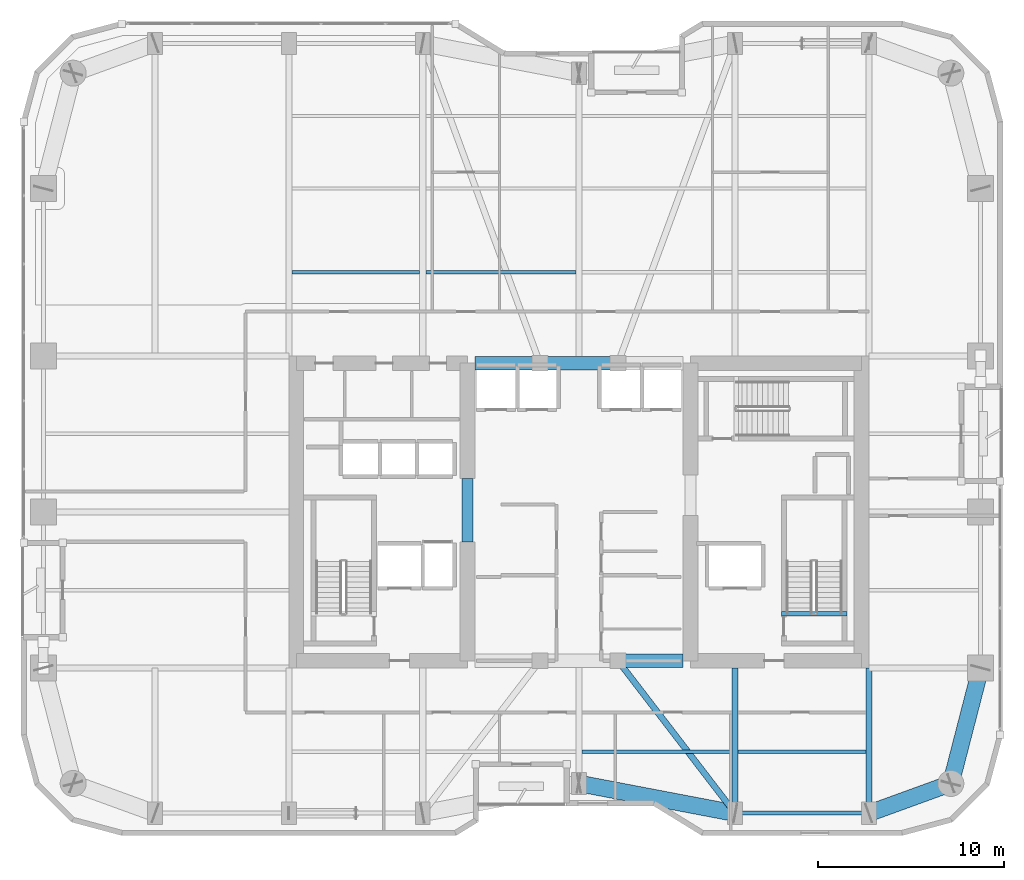
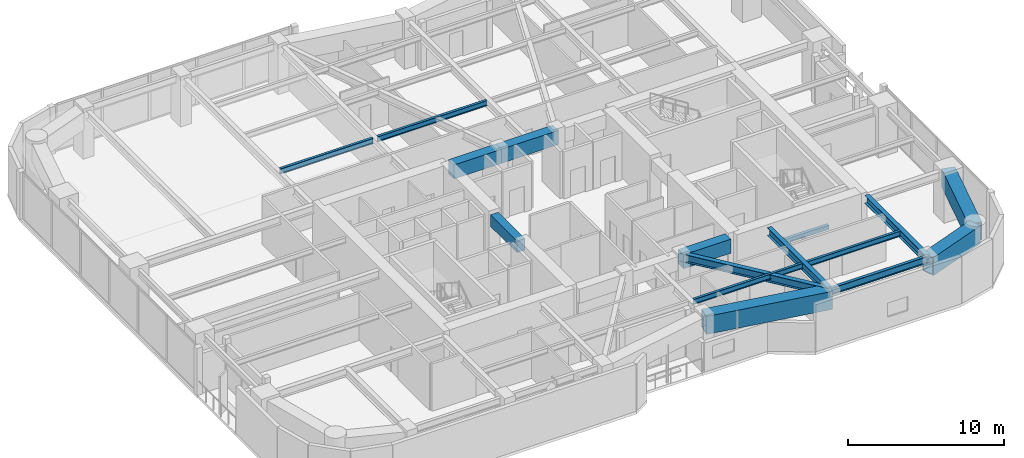
# One storey, part 8 of 30: 16 beams.
"""IFC4 building model written with IfcOpenShell, lengths in metres."""

from ifc_helpers import new_model, si_unit, direction, frame, origin, origin_2d, place, context, subcontext, project, spatial, rectangle, hollow_rectangle, i_section, extrude, material, material_profile, profile_set, type_object, element, save


model = new_model("IFC4")

# Units and contexts
model_context = context("Model", 3, precision=1e-05, world=origin(), true_north=direction((0.0, 1.0)))
body_context = subcontext(model_context, "Body", "Model", "MODEL_VIEW")
ifc_project = project(units=[si_unit("LENGTHUNIT", "METRE"), si_unit("AREAUNIT", "SQUARE_METRE"), si_unit("VOLUMEUNIT", "CUBIC_METRE"), si_unit("PLANEANGLEUNIT", "RADIAN"), si_unit("MASSUNIT", "GRAM", prefix="KILO")], contexts=[model_context])

# Site, building, storey
site_placement = place(None, origin())
site = spatial("IfcSite", under=ifc_project, at=site_placement, CompositionType="ELEMENT")
building_placement = place(site_placement, origin())
building = spatial("IfcBuilding", under=site, at=building_placement, Name="Kiyonajd Concourse Tower", CompositionType="ELEMENT")
storey_placement = place(building_placement, frame((0.0, 0.0, 154.5)))
storey = spatial("IfcBuildingStorey", under=building, at=storey_placement, Name="L39", CompositionType="ELEMENT", Elevation=154.5)

# Beams
ifc_material_1 = material(Name="Concrete C70/85", Category="concrete")
ifc_material_profile_1 = material_profile(ifc_material_1, rectangle(XDim=0.699951171875, YDim=1.10009765625, at=origin_2d()), Name="RCBM-700x1100")
ifc_profile_set_1 = profile_set([ifc_material_profile_1], Name="Concrete C70/85")
beam_type_1 = type_object("IfcBeamType", Name="BM-COUP-1100", PredefinedType="LINTEL", material=ifc_profile_set_1)
for number, where, z_axis, x_axis, name in (
    (1, (50.10009765625, 28.0, 3.1298828125), (1.0, 0.0, 0.0), (0.0, 1.0, 0.0), "L39 Core Coupling Beam S3"),
    (2, (42.39990234375, 44.0, 3.1298828125), (1.0, 0.0, 0.0), (0.0, 1.0, 0.0), "L39 Core Coupling Beam N1"),
):
    element("IfcBeam", number, at=place(storey_placement, frame(where, z_axis=z_axis, x_axis=x_axis)), inside=storey, type_object=beam_type_1, Name=name, PredefinedType="LINTEL", context=body_context, shape_type="SweptSolid", body=[
        extrude(rectangle(XDim=0.699951171875, YDim=1.10009765625, at=origin_2d()), origin(), (0.0, 0.0, 1.0), 3.5),
    ])
beam_1_placement = place(storey_placement, frame((45.89990234375, 44.0, 3.1298828125), z_axis=(1.0, 0.0, 0.0), x_axis=(0.0, 1.0, 0.0)))
element("IfcBeam", 3, at=beam_1_placement, inside=storey, type_object=beam_type_1, Name="L39 Core Coupling Beam N2", PredefinedType="LINTEL", context=body_context, shape_type="SweptSolid", body=[
    extrude(rectangle(XDim=0.699951171875, YDim=1.10009765625, at=origin_2d()), origin(), (0.0, 0.0, 1.0), 4.2001953125),
])
ifc_material_2 = material(Name="Concrete C60/75", Category="concrete")
ifc_material_profile_2 = material_profile(ifc_material_2, rectangle(XDim=0.60009765625, YDim=0.89990234375, at=origin_2d()), Name="RCBM-600x900")
ifc_profile_set_2 = profile_set([ifc_material_profile_2], Name="Concrete C60/75")
beam_type_2 = type_object("IfcBeamType", Name="BM-COUP-900", PredefinedType="LINTEL", material=ifc_profile_set_2)
beam_2_placement = place(storey_placement, frame((42.0, 34.39990234375, 3.1298828125), z_axis=(0.0, 1.0, 0.0), x_axis=(-1.0, 0.0, 0.0)))
element("IfcBeam", 4, at=beam_2_placement, inside=storey, type_object=beam_type_2, Name="L39 West Core Throat Coupling Lintel", PredefinedType="LINTEL", context=body_context, shape_type="SweptSolid", body=[
    extrude(rectangle(XDim=0.60009765625, YDim=0.89990234375, at=origin_2d()), origin(), (0.0, 0.0, 1.0), 3.400146484375),
])
ifc_material_3 = material(Name="Steel ASTM A992 Grade 50", Category="steel")
ifc_material_profile_3 = material_profile(ifc_material_3, i_section(OverallWidth=0.180908203125, OverallDepth=0.4169921875, WebThickness=0.010986328125, FlangeThickness=0.018310546875, at=origin_2d()), Name="W410X85")
ifc_profile_set_3 = profile_set([ifc_material_profile_3], Name="Steel ASTM A992 Grade 50")
beam_type_3 = type_object("IfcBeamType", Name="BM-JST-410", PredefinedType="JOIST", material=ifc_profile_set_3)
beam_3_placement = place(storey_placement, frame((48.16357421875, 23.10009765625, 3.471435546875), z_axis=(1.0, 0.0, 0.0), x_axis=(0.0, 1.0, 0.0)))
element("IfcBeam", 5, at=beam_3_placement, inside=storey, type_object=beam_type_3, Name="L39 Secondary Floor Joist", PredefinedType="JOIST", context=body_context, shape_type="SweptSolid", body=[
    extrude(i_section(OverallWidth=0.180908203125, OverallDepth=0.4169921875, WebThickness=0.010986328125, FlangeThickness=0.018310546875, at=origin_2d()), origin(), (0.0, 0.0, 1.0), 8.072998046875),
])
for number, where, z_axis, x_axis, name in (
    (6, (56.5634765625, 23.10009765625, 3.471435546875), (1.0, 0.0, 0.0), (0.0, 1.0, 0.0), "L39 Secondary Floor Joist"),
    (7, (32.5634765625, 48.89990234375, 3.471435546875), (1.0, 0.0, 0.0), (0.0, 1.0, 0.0), "L39 Secondary Floor Joist"),
):
    element("IfcBeam", number, at=place(storey_placement, frame(where, z_axis=z_axis, x_axis=x_axis)), inside=storey, type_object=beam_type_3, Name=name, PredefinedType="JOIST", context=body_context, shape_type="SweptSolid", body=[
        extrude(i_section(OverallWidth=0.180908203125, OverallDepth=0.4169921875, WebThickness=0.010986328125, FlangeThickness=0.018310546875, at=origin_2d()), origin(), (0.0, 0.0, 1.0), 6.873046875),
    ])
beam_4_placement = place(storey_placement, frame((39.763427734375, 48.89990234375, 3.471435546875), z_axis=(1.0, 0.0, 0.0), x_axis=(0.0, 1.0, 0.0)))
element("IfcBeam", 8, at=beam_4_placement, inside=storey, type_object=beam_type_3, Name="L39 Secondary Floor Joist", PredefinedType="JOIST", context=body_context, shape_type="SweptSolid", body=[
    extrude(i_section(OverallWidth=0.180908203125, OverallDepth=0.4169921875, WebThickness=0.010986328125, FlangeThickness=0.018310546875, at=origin_2d()), origin(), (0.0, 0.0, 1.0), 8.072998046875),
])
ifc_material_4 = material(Name="Concrete C50/60", Category="concrete")
ifc_material_profile_4 = material_profile(ifc_material_4, rectangle(XDim=0.239990234375, YDim=0.320068359375, at=origin_2d()), Name="RCBM-240x320")
ifc_profile_set_4 = profile_set([ifc_material_profile_4], Name="Concrete C50/60")
beam_type_4 = type_object("IfcBeamType", Name="BM-LNT-250", PredefinedType="LINTEL", material=ifc_profile_set_4)
beam_5_placement = place(storey_placement, frame((58.889892578125, 30.530029296875, -0.159912109375), z_axis=(1.0, 0.0, 0.0), x_axis=(0.0, 1.0, 0.0)))
element("IfcBeam", 9, at=beam_5_placement, inside=storey, type_object=beam_type_4, Name="L39 Stair ST2 Threshold Support Beam", PredefinedType="LINTEL", context=body_context, shape_type="SweptSolid", body=[
    extrude(rectangle(XDim=0.239990234375, YDim=0.320068359375, at=origin_2d()), origin(), (0.0, 0.0, 1.0), 3.52001953125),
])
ifc_material_profile_5 = material_profile(ifc_material_3, i_section(OverallWidth=0.214111328125, OverallDepth=0.549072265625, WebThickness=0.0146484375, FlangeThickness=0.023681640625, at=origin_2d()), Name="W530X138")
ifc_profile_set_5 = profile_set([ifc_material_profile_5], Name="Steel ASTM A992 Grade 50")
beam_type_5 = type_object("IfcBeamType", Name="BM-SPAN-530A", PredefinedType="SPANDREL", material=ifc_profile_set_5)
beam_6_placement = place(storey_placement, frame((56.39990234375, 19.800048828125, 3.405517578125), z_axis=(1.0, 0.0, 0.0), x_axis=(0.0, 1.0, 0.0)))
element("IfcBeam", 10, at=beam_6_placement, inside=storey, type_object=beam_type_5, Name="L39 Perimeter Bundled Tube Spandrel", PredefinedType="SPANDREL", context=body_context, shape_type="SweptSolid", body=[
    extrude(i_section(OverallWidth=0.214111328125, OverallDepth=0.549072265625, WebThickness=0.0146484375, FlangeThickness=0.023681640625, at=origin_2d()), origin(), (0.0, 0.0, 1.0), 7.2001953125),
])
ifc_material_profile_6 = material_profile(ifc_material_3, i_section(OverallWidth=0.326904296875, OverallDepth=0.6220703125, WebThickness=0.015380859375, FlangeThickness=0.0244140625, at=origin_2d()), Name="W610X195")
ifc_profile_set_6 = profile_set([ifc_material_profile_6], Name="Steel ASTM A992 Grade 50")
beam_type_6 = type_object("IfcBeamType", Name="BM-TWR-610A", PredefinedType="BEAM", material=ifc_profile_set_6)
beam_7_placement = place(storey_placement, frame((50.10009765625, 28.0, 3.368896484375), z_axis=(0.609233709922, -0.792990722956, 0.0), x_axis=(0.792990722956, 0.609233709922, 0.0)))
element("IfcBeam", 11, at=beam_7_placement, inside=storey, type_object=beam_type_6, Name="L39 Core Tie Girder", PredefinedType="BEAM", context=body_context, shape_type="SweptSolid", body=[
    extrude(i_section(OverallWidth=0.326904296875, OverallDepth=0.6220703125, WebThickness=0.015380859375, FlangeThickness=0.0244140625, at=origin_2d()), origin(), (0.0, 0.0, 1.0), 10.340576171875),
])
for number, where, z_axis, x_axis, name in (
    (12, (56.39990234375, 19.800048828125, 3.368896484375), (0.0, 1.0, 0.0), (-1.0, 0.0, 0.0), "L39 South Lease Girder"),
    (13, (63.60009765625, 19.800048828125, 3.368896484375), (0.0, 1.0, 0.0), (-1.0, 0.0, 0.0), "L39 South Lease Girder"),
):
    element("IfcBeam", number, at=place(storey_placement, frame(where, z_axis=z_axis, x_axis=x_axis)), inside=storey, type_object=beam_type_6, Name=name, PredefinedType="BEAM", context=body_context, shape_type="SweptSolid", body=[
        extrude(i_section(OverallWidth=0.326904296875, OverallDepth=0.6220703125, WebThickness=0.015380859375, FlangeThickness=0.0244140625, at=origin_2d()), origin(), (0.0, 0.0, 1.0), 7.800048828125),
    ])
ifc_material_5 = material(Name="Steel ASTM A572 Grade 50", Category="steel")
ifc_material_profile_7 = material_profile(ifc_material_5, hollow_rectangle(XDim=0.89990234375, YDim=1.39990234375, WallThickness=0.070068359375, at=origin_2d()), Name="BOX-1400x900x70")
ifc_profile_set_7 = profile_set([ifc_material_profile_7], Name="Steel ASTM A572 Grade 50")
beam_type_7 = type_object("IfcBeamType", Name="BM-XFER-1400", PredefinedType="BEAM", material=ifc_profile_set_7)
beam_8_placement = place(storey_placement, frame((48.0, 21.39990234375, 2.97998046875), z_axis=(0.982341315253, -0.187097675953, 0.0), x_axis=(0.187097675953, 0.982341315253, 0.0)))
element("IfcBeam", 14, at=beam_8_placement, inside=storey, type_object=beam_type_7, Name="L39 Perimeter Bundled Tube Spandrel", PredefinedType="BEAM", context=body_context, shape_type="SweptSolid", body=[
    extrude(hollow_rectangle(XDim=0.89990234375, YDim=1.39990234375, WallThickness=0.070068359375, at=origin_2d()), origin(), (0.0, 0.0, 1.0), 8.55078125),
])
beam_9_placement = place(storey_placement, frame((63.60009765625, 19.800048828125, 2.97998046875), z_axis=(0.939801036019, 0.341722127901, 0.0), x_axis=(-0.341722127901, 0.939801036019, 0.0)))
element("IfcBeam", 15, at=beam_9_placement, inside=storey, type_object=beam_type_7, Name="L39 Perimeter Bundled Tube Spandrel", PredefinedType="BEAM", context=body_context, shape_type="SweptSolid", body=[
    extrude(hollow_rectangle(XDim=0.89990234375, YDim=1.39990234375, WallThickness=0.070068359375, at=origin_2d()), origin(), (0.0, 0.0, 1.0), 4.681640625),
])
beam_10_placement = place(storey_placement, frame((68.0, 21.39990234375, 2.97998046875), z_axis=(0.249884937687, 0.968275538221, 0.0), x_axis=(-0.968275538221, 0.249884937687, 0.0)))
element("IfcBeam", 16, at=beam_10_placement, inside=storey, type_object=beam_type_7, Name="L39 Perimeter Bundled Tube Spandrel", PredefinedType="BEAM", context=body_context, shape_type="SweptSolid", body=[
    extrude(hollow_rectangle(XDim=0.89990234375, YDim=1.39990234375, WallThickness=0.070068359375, at=origin_2d()), origin(), (0.0, 0.0, 1.0), 6.4033203125),
])

save(model, "model.ifc")
